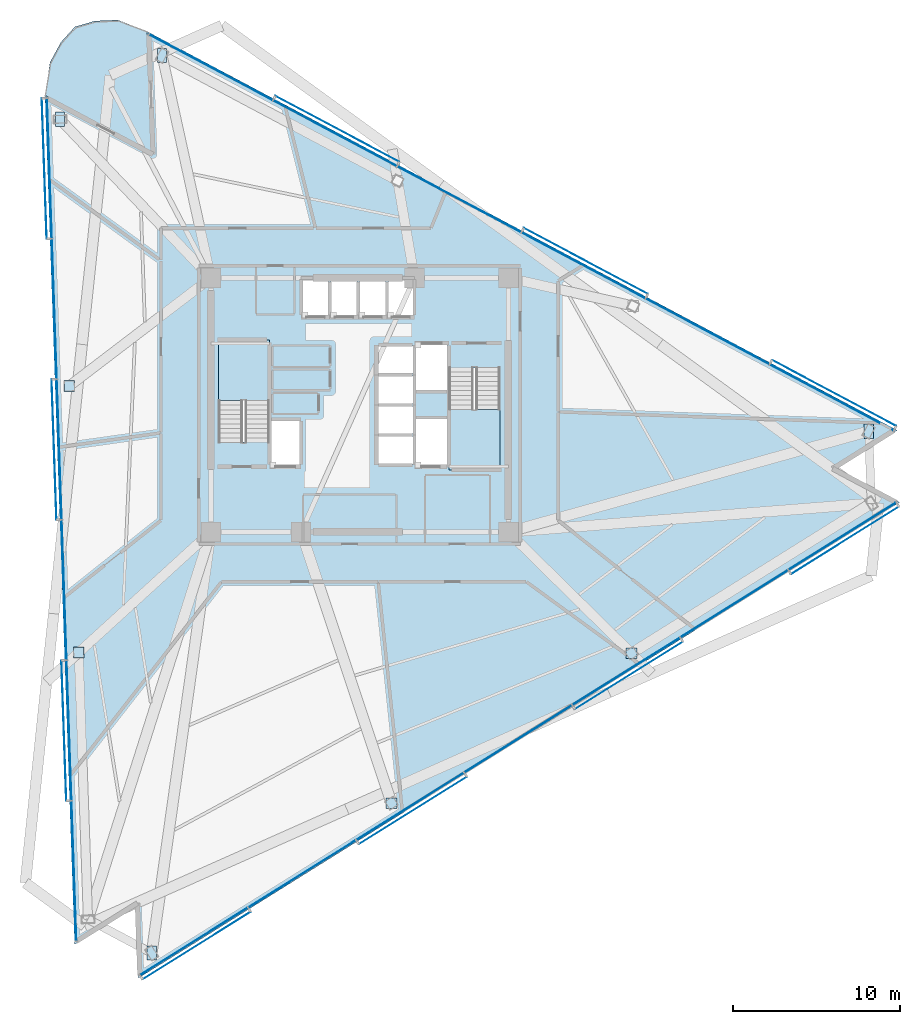
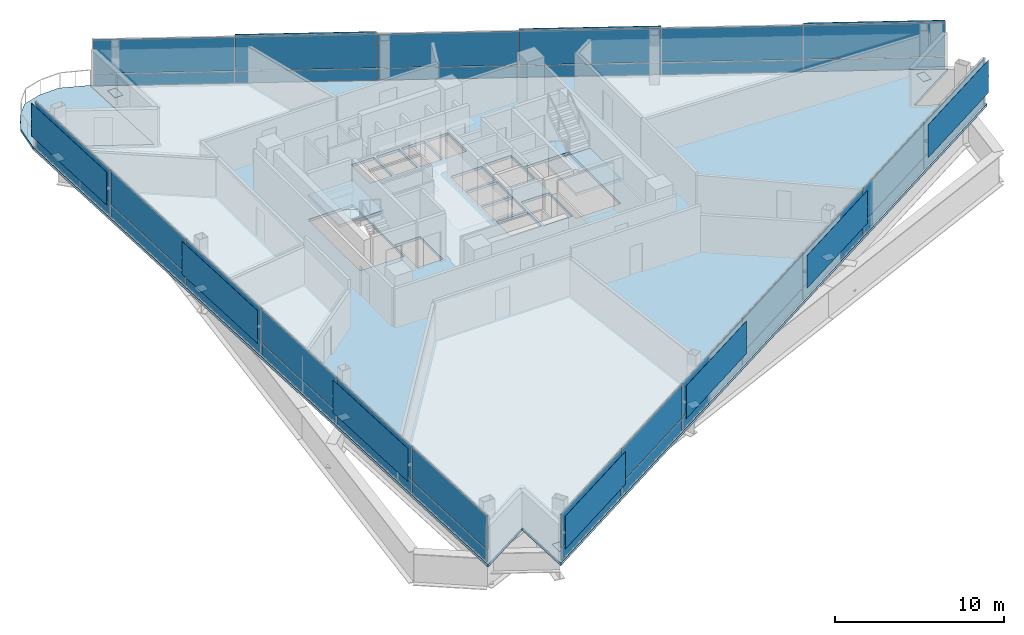
# One storey, part 11 of 20: 56 plates, 4 slabs, 5 elements without a shape of their own.
"""IFC4 building model written with IfcOpenShell, lengths in metres."""

from ifc_helpers import new_model, si_unit, direction, frame, origin, origin_2d, place, context, subcontext, project, spatial, polyline, rectangle, outline, extrude, material, layer, layer_set, type_object, element, aggregate, save


model = new_model("IFC4")

# Units and contexts
model_context = context("Model", 3, precision=1e-05, world=origin(), true_north=direction((0.0, 1.0)))
body_context = subcontext(model_context, "Body", "Model", "MODEL_VIEW")
ifc_project = project(units=[si_unit("LENGTHUNIT", "METRE"), si_unit("AREAUNIT", "SQUARE_METRE"), si_unit("VOLUMEUNIT", "CUBIC_METRE"), si_unit("PLANEANGLEUNIT", "RADIAN"), si_unit("MASSUNIT", "GRAM", prefix="KILO")], contexts=[model_context])

# Site, building, storey
site_placement = place(None, origin())
site = spatial("IfcSite", under=ifc_project, at=site_placement, CompositionType="ELEMENT")
building_placement = place(site_placement, origin())
building = spatial("IfcBuilding", under=site, at=building_placement, Name="Tharavind Bronze Gate", CompositionType="ELEMENT")
storey_placement = place(building_placement, frame((0.0, 0.0, 138.800048828125)))
storey = spatial("IfcBuildingStorey", under=building, at=storey_placement, Name="L35", CompositionType="ELEMENT", Elevation=138.800048828125)

# Plates
ifc_material_1 = material(Name="Perforated Bronze Alloy", Category="bronze")
ifc_layer_1 = layer(ifc_material_1, 0.011962890625)
ifc_layer_set_1 = layer_set([ifc_layer_1], Name="Perforated Bronze Alloy")
plate_type_1 = type_object("IfcPlateType", Name="BRONZE PERFORATED SOLAR SCREEN", PredefinedType="USERDEFINED", material=ifc_layer_set_1)
for number, where, z_axis, x_axis, name in (
    (1, (-18.867919921875, 14.1494140625, 0.966552734375), (0.0, 0.0, 1.0), (0.034899496703, -0.999390827019, 0.0), "CW-L35-S1 perforated bronze solar screen 1"),
    (2, (-18.280517578125, -2.66943359375, 0.966552734375), (0.0, 0.0, 1.0), (0.034899496703, -0.999390827019, 0.0), "CW-L35-S1 perforated bronze solar screen 3"),
    (3, (-17.693115234375, -19.48828125, 0.966552734375), (0.0, 0.0, 1.0), (0.034899496703, -0.999390827019, 0.0), "CW-L35-S1 perforated bronze solar screen 5"),
):
    element("IfcPlate", number, at=place(storey_placement, frame(where, z_axis=z_axis, x_axis=x_axis)), inside=storey, type_object=plate_type_1, Name=name, ObjectType="SCREEN", PredefinedType="USERDEFINED", context=body_context, shape_type="SweptSolid", body=[
        extrude(rectangle(XDim=8.39453125, YDim=0.011962890625, at=origin_2d()), origin(), (0.0, 0.0, 1.0), 2.376953125),
    ])
for number, where, z_axis, x_axis, name in (
    (4, (-9.75439453125, -32.3505859375, 0.966552734375), (0.0, 0.0, 1.0), (0.848048096156, 0.529919264233, 0.0), "CW-L35-S2 perforated bronze solar screen 1"),
    (5, (3.176513671875, -24.2705078125, 0.966552734375), (0.0, 0.0, 1.0), (0.848048096156, 0.529919264233, 0.0), "CW-L35-S2 perforated bronze solar screen 3"),
    (6, (16.107421875, -16.190185546875, 0.966552734375), (0.0, 0.0, 1.0), (0.848048096156, 0.529919264233, 0.0), "CW-L35-S2 perforated bronze solar screen 5"),
    (7, (29.0380859375, -8.110107421875, 0.966552734375), (0.0, 0.0, 1.0), (0.848048096156, 0.529919264233, 0.0), "CW-L35-S2 perforated bronze solar screen 7"),
):
    element("IfcPlate", number, at=place(storey_placement, frame(where, z_axis=z_axis, x_axis=x_axis)), inside=storey, type_object=plate_type_1, Name=name, ObjectType="SCREEN", PredefinedType="USERDEFINED", context=body_context, shape_type="SweptSolid", body=[
        extrude(rectangle(XDim=7.60400390625, YDim=0.011962890625, at=origin_2d()), origin(), (0.0, 0.0, 1.0), 2.376953125),
    ])
for number, where, z_axis, x_axis, name in (
    (8, (28.387451171875, 0.713134765625, 0.966552734375), (0.0, 0.0, 1.0), (-0.882947592859, 0.469471562786, 0.0), "CW-L35-S3 perforated bronze solar screen 1"),
    (9, (13.5283203125, 8.614013671875, 0.966552734375), (0.0, 0.0, 1.0), (-0.882947592859, 0.469471562786, 0.0), "CW-L35-S3 perforated bronze solar screen 3"),
    (10, (-1.3310546875, 16.514892578125, 0.966552734375), (0.0, 0.0, 1.0), (-0.882947592859, 0.469471562786, 0.0), "CW-L35-S3 perforated bronze solar screen 5"),
):
    element("IfcPlate", number, at=place(storey_placement, frame(where, z_axis=z_axis, x_axis=x_axis)), inside=storey, type_object=plate_type_1, Name=name, ObjectType="SCREEN", PredefinedType="USERDEFINED", context=body_context, shape_type="SweptSolid", body=[
        extrude(rectangle(XDim=8.39453125, YDim=0.011962890625, at=origin_2d()), origin(), (0.0, 0.0, 1.0), 2.376953125),
    ])

# Curtain wall, plates
ifc_material_2 = material(Name="Anodised Bronze Aluminium", Category="aluminium")
ifc_layer_2 = layer(ifc_material_2, 0.219970703125)
ifc_layer_set_2 = layer_set([ifc_layer_2], Name="Anodised Bronze Aluminium")
curtain_wall_type = type_object("IfcCurtainWallType", Name="UNITISED CURTAIN WALL MID OFFICE", PredefinedType="USERDEFINED", material=ifc_layer_set_2)
curtain_wall_1_placement = place(storey_placement, origin())
curtain_wall_1 = element("IfcCurtainWall", 11, at=curtain_wall_1_placement, inside=storey, type_object=curtain_wall_type, Name="L35 unitised curtain wall mid office CW-L35-S1", ObjectType="UNITISED CURTAIN WALL", PredefinedType="USERDEFINED")
ifc_material_3 = material(Name="Patinated Bronze Alloy Sheet", Category="bronze")
ifc_layer_3 = layer(ifc_material_3, 0.01611328125)
ifc_layer_set_3 = layer_set([ifc_layer_3], Name="Patinated Bronze Alloy Sheet")
plate_type_2 = type_object("IfcPlateType", Name="BRONZE SPANDREL CLADDING PANEL 16", PredefinedType="CURTAIN_PANEL", material=ifc_layer_set_3)
plate_1_placement = place(storey_placement, frame((-18.572998046875, 14.159912109375, 0.0263671875), z_axis=(0.0, 0.0, 1.0), x_axis=(0.034899496703, -0.999390827019, 0.0)))
plate_1 = element("IfcPlate", 12, at=plate_1_placement, type_object=plate_type_2, Name="CW-L35-S1 bronze spandrel panel 1", PredefinedType="CURTAIN_PANEL", context=body_context, shape_type="SweptSolid", body=[
    extrude(rectangle(XDim=8.361572265625, YDim=0.01611328125, at=origin_2d()), origin(), (0.0, 0.0, 1.0), 0.846923828125),
])
plate_2_placement = place(storey_placement, frame((-18.279296875, 5.750244140625, 0.0263671875), z_axis=(0.0, 0.0, 1.0), x_axis=(0.034899496703, -0.999390827019, 0.0)))
plate_2 = element("IfcPlate", 13, at=plate_2_placement, type_object=plate_type_2, Name="CW-L35-S1 bronze spandrel panel 2", PredefinedType="CURTAIN_PANEL", context=body_context, shape_type="SweptSolid", body=[
    extrude(rectangle(XDim=8.361572265625, YDim=0.01611328125, at=origin_2d()), origin(), (0.0, 0.0, 1.0), 0.846923828125),
])
plate_3_placement = place(storey_placement, frame((-17.985595703125, -2.6591796875, 0.0263671875), z_axis=(0.0, 0.0, 1.0), x_axis=(0.034899496703, -0.999390827019, 0.0)))
plate_3 = element("IfcPlate", 14, at=plate_3_placement, type_object=plate_type_2, Name="CW-L35-S1 bronze spandrel panel 3", PredefinedType="CURTAIN_PANEL", context=body_context, shape_type="SweptSolid", body=[
    extrude(rectangle(XDim=8.361572265625, YDim=0.01611328125, at=origin_2d()), origin(), (0.0, 0.0, 1.0), 0.846923828125),
])
plate_4_placement = place(storey_placement, frame((-17.69189453125, -11.068603515625, 0.0263671875), z_axis=(0.0, 0.0, 1.0), x_axis=(0.034899496703, -0.999390827019, 0.0)))
plate_4 = element("IfcPlate", 15, at=plate_4_placement, type_object=plate_type_2, Name="CW-L35-S1 bronze spandrel panel 4", PredefinedType="CURTAIN_PANEL", context=body_context, shape_type="SweptSolid", body=[
    extrude(rectangle(XDim=8.361572265625, YDim=0.01611328125, at=origin_2d()), origin(), (0.0, 0.0, 1.0), 0.846923828125),
])
plate_5_placement = place(storey_placement, frame((-17.398193359375, -19.477783203125, 0.0263671875), z_axis=(0.0, 0.0, 1.0), x_axis=(0.034899496703, -0.999390827019, 0.0)))
plate_5 = element("IfcPlate", 16, at=plate_5_placement, type_object=plate_type_2, Name="CW-L35-S1 bronze spandrel panel 5", PredefinedType="CURTAIN_PANEL", context=body_context, shape_type="SweptSolid", body=[
    extrude(rectangle(XDim=8.361572265625, YDim=0.01611328125, at=origin_2d()), origin(), (0.0, 0.0, 1.0), 0.846923828125),
])
plate_6_placement = place(storey_placement, frame((-17.1044921875, -27.887451171875, 0.0263671875), z_axis=(0.0, 0.0, 1.0), x_axis=(0.034899496703, -0.999390827019, 0.0)))
plate_6 = element("IfcPlate", 17, at=plate_6_placement, type_object=plate_type_2, Name="CW-L35-S1 bronze spandrel panel 6", PredefinedType="CURTAIN_PANEL", context=body_context, shape_type="SweptSolid", body=[
    extrude(rectangle(XDim=8.361572265625, YDim=0.01611328125, at=origin_2d()), origin(), (0.0, 0.0, 1.0), 0.846923828125),
])

curtain_wall_2_placement = place(storey_placement, origin())
curtain_wall_2 = element("IfcCurtainWall", 18, at=curtain_wall_2_placement, inside=storey, type_object=curtain_wall_type, Name="L35 unitised curtain wall mid office CW-L35-S2", ObjectType="UNITISED CURTAIN WALL", PredefinedType="USERDEFINED")
plate_7_placement = place(storey_placement, frame((-9.910888671875, -32.100341796875, 0.0263671875), z_axis=(0.0, 0.0, 1.0), x_axis=(0.848048096156, 0.529919264233, 0.0)))
plate_7 = element("IfcPlate", 19, at=plate_7_placement, type_object=plate_type_2, Name="CW-L35-S2 bronze spandrel panel 1", PredefinedType="CURTAIN_PANEL", context=body_context, shape_type="SweptSolid", body=[
    extrude(rectangle(XDim=7.57080078125, YDim=0.01611328125, at=origin_2d()), origin(), (0.0, 0.0, 1.0), 0.846923828125),
])
plate_8_placement = place(storey_placement, frame((-3.4453125, -28.060302734375, 0.0263671875), z_axis=(0.0, 0.0, 1.0), x_axis=(0.848048096156, 0.529919264233, 0.0)))
plate_8 = element("IfcPlate", 20, at=plate_8_placement, type_object=plate_type_2, Name="CW-L35-S2 bronze spandrel panel 2", PredefinedType="CURTAIN_PANEL", context=body_context, shape_type="SweptSolid", body=[
    extrude(rectangle(XDim=7.57080078125, YDim=0.01611328125, at=origin_2d()), origin(), (0.0, 0.0, 1.0), 0.846923828125),
])
plate_9_placement = place(storey_placement, frame((3.02001953125, -24.020263671875, 0.0263671875), z_axis=(0.0, 0.0, 1.0), x_axis=(0.848048096156, 0.529919264233, 0.0)))
plate_9 = element("IfcPlate", 21, at=plate_9_placement, type_object=plate_type_2, Name="CW-L35-S2 bronze spandrel panel 3", PredefinedType="CURTAIN_PANEL", context=body_context, shape_type="SweptSolid", body=[
    extrude(rectangle(XDim=7.57080078125, YDim=0.01611328125, at=origin_2d()), origin(), (0.0, 0.0, 1.0), 0.846923828125),
])
plate_10_placement = place(storey_placement, frame((9.485595703125, -19.97998046875, 0.0263671875), z_axis=(0.0, 0.0, 1.0), x_axis=(0.848048096156, 0.529919264233, 0.0)))
plate_10 = element("IfcPlate", 22, at=plate_10_placement, type_object=plate_type_2, Name="CW-L35-S2 bronze spandrel panel 4", PredefinedType="CURTAIN_PANEL", context=body_context, shape_type="SweptSolid", body=[
    extrude(rectangle(XDim=7.57080078125, YDim=0.01611328125, at=origin_2d()), origin(), (0.0, 0.0, 1.0), 0.846923828125),
])
plate_11_placement = place(storey_placement, frame((15.950927734375, -15.93994140625, 0.0263671875), z_axis=(0.0, 0.0, 1.0), x_axis=(0.848048096156, 0.529919264233, 0.0)))
plate_11 = element("IfcPlate", 23, at=plate_11_placement, type_object=plate_type_2, Name="CW-L35-S2 bronze spandrel panel 5", PredefinedType="CURTAIN_PANEL", context=body_context, shape_type="SweptSolid", body=[
    extrude(rectangle(XDim=7.57080078125, YDim=0.01611328125, at=origin_2d()), origin(), (0.0, 0.0, 1.0), 0.846923828125),
])
plate_12_placement = place(storey_placement, frame((22.41650390625, -11.89990234375, 0.0263671875), z_axis=(0.0, 0.0, 1.0), x_axis=(0.848048096156, 0.529919264233, 0.0)))
plate_12 = element("IfcPlate", 24, at=plate_12_placement, type_object=plate_type_2, Name="CW-L35-S2 bronze spandrel panel 6", PredefinedType="CURTAIN_PANEL", context=body_context, shape_type="SweptSolid", body=[
    extrude(rectangle(XDim=7.57080078125, YDim=0.01611328125, at=origin_2d()), origin(), (0.0, 0.0, 1.0), 0.846923828125),
])
plate_13_placement = place(storey_placement, frame((28.8818359375, -7.85986328125, 0.0263671875), z_axis=(0.0, 0.0, 1.0), x_axis=(0.848048096156, 0.529919264233, 0.0)))
plate_13 = element("IfcPlate", 25, at=plate_13_placement, type_object=plate_type_2, Name="CW-L35-S2 bronze spandrel panel 7", PredefinedType="CURTAIN_PANEL", context=body_context, shape_type="SweptSolid", body=[
    extrude(rectangle(XDim=7.57080078125, YDim=0.01611328125, at=origin_2d()), origin(), (0.0, 0.0, 1.0), 0.846923828125),
])

curtain_wall_3_placement = place(storey_placement, origin())
curtain_wall_3 = element("IfcCurtainWall", 26, at=curtain_wall_3_placement, inside=storey, type_object=curtain_wall_type, Name="L35 unitised curtain wall mid office CW-L35-S3", ObjectType="UNITISED CURTAIN WALL", PredefinedType="USERDEFINED")
plate_14_placement = place(storey_placement, frame((28.2490234375, 0.45263671875, 0.0263671875), z_axis=(0.0, 0.0, 1.0), x_axis=(-0.882947592859, 0.469471562786, 0.0)))
plate_14 = element("IfcPlate", 27, at=plate_14_placement, type_object=plate_type_2, Name="CW-L35-S3 bronze spandrel panel 1", PredefinedType="CURTAIN_PANEL", context=body_context, shape_type="SweptSolid", body=[
    extrude(rectangle(XDim=8.361572265625, YDim=0.01611328125, at=origin_2d()), origin(), (0.0, 0.0, 1.0), 0.846923828125),
])
plate_15_placement = place(storey_placement, frame((20.8193359375, 4.403076171875, 0.0263671875), z_axis=(0.0, 0.0, 1.0), x_axis=(-0.882947592859, 0.469471562786, 0.0)))
plate_15 = element("IfcPlate", 28, at=plate_15_placement, type_object=plate_type_2, Name="CW-L35-S3 bronze spandrel panel 2", PredefinedType="CURTAIN_PANEL", context=body_context, shape_type="SweptSolid", body=[
    extrude(rectangle(XDim=8.361572265625, YDim=0.01611328125, at=origin_2d()), origin(), (0.0, 0.0, 1.0), 0.846923828125),
])
plate_16_placement = place(storey_placement, frame((13.389892578125, 8.353515625, 0.0263671875), z_axis=(0.0, 0.0, 1.0), x_axis=(-0.882947592859, 0.469471562786, 0.0)))
plate_16 = element("IfcPlate", 29, at=plate_16_placement, type_object=plate_type_2, Name="CW-L35-S3 bronze spandrel panel 3", PredefinedType="CURTAIN_PANEL", context=body_context, shape_type="SweptSolid", body=[
    extrude(rectangle(XDim=8.361572265625, YDim=0.01611328125, at=origin_2d()), origin(), (0.0, 0.0, 1.0), 0.846923828125),
])
plate_17_placement = place(storey_placement, frame((5.960205078125, 12.303955078125, 0.0263671875), z_axis=(0.0, 0.0, 1.0), x_axis=(-0.882947592859, 0.469471562786, 0.0)))
plate_17 = element("IfcPlate", 30, at=plate_17_placement, type_object=plate_type_2, Name="CW-L35-S3 bronze spandrel panel 4", PredefinedType="CURTAIN_PANEL", context=body_context, shape_type="SweptSolid", body=[
    extrude(rectangle(XDim=8.361572265625, YDim=0.01611328125, at=origin_2d()), origin(), (0.0, 0.0, 1.0), 0.846923828125),
])
plate_18_placement = place(storey_placement, frame((-1.469482421875, 16.25439453125, 0.0263671875), z_axis=(0.0, 0.0, 1.0), x_axis=(-0.882947592859, 0.469471562786, 0.0)))
plate_18 = element("IfcPlate", 31, at=plate_18_placement, type_object=plate_type_2, Name="CW-L35-S3 bronze spandrel panel 5", PredefinedType="CURTAIN_PANEL", context=body_context, shape_type="SweptSolid", body=[
    extrude(rectangle(XDim=8.361572265625, YDim=0.01611328125, at=origin_2d()), origin(), (0.0, 0.0, 1.0), 0.846923828125),
])
plate_19_placement = place(storey_placement, frame((-8.899169921875, 20.20458984375, 0.0263671875), z_axis=(0.0, 0.0, 1.0), x_axis=(-0.882947592859, 0.469471562786, 0.0)))
plate_19 = element("IfcPlate", 32, at=plate_19_placement, type_object=plate_type_2, Name="CW-L35-S3 bronze spandrel panel 6", PredefinedType="CURTAIN_PANEL", context=body_context, shape_type="SweptSolid", body=[
    extrude(rectangle(XDim=8.361572265625, YDim=0.01611328125, at=origin_2d()), origin(), (0.0, 0.0, 1.0), 0.846923828125),
])

# Slab
ifc_material_4 = material(Name="Concrete C40/50", Category="concrete")
ifc_layer_4 = layer(ifc_material_4, 0.179931640625)
ifc_layer_set_4 = layer_set([ifc_layer_4], Name="Concrete C40/50")
slab_type_1 = type_object("IfcSlabType", Name="EXTERIOR BALCONY SLAB 180", PredefinedType="FLOOR", material=ifc_layer_set_4)
slab_1_placement = place(storey_placement, frame((0.0, 0.0, -0.179931640625)))
element("IfcSlab", 33, at=slab_1_placement, inside=storey, type_object=slab_type_1, Name="L35 northeast tree balcony slab", PredefinedType="FLOOR", context=body_context, shape_type="SweptSolid", body=[
    extrude(outline(polyline([(-14.45654296875, 23.033203125), (-15.835693359375, 22.975830078125), (-17.032470703125, 22.626220703125), (-17.87109375, 21.7041015625), (-18.527099609375, 20.489501953125), (-18.82568359375, 18.5341796875), (-12.468505859375, 15.15380859375), (-12.719970703125, 22.349609375), (-14.45654296875, 23.033203125)])), origin(), (0.0, 0.0, 1.0), 0.179931640625),
])

# Stair, slab
stair_type = type_object("IfcStairType", Name="CORE HALF TURN STAIR 1450", PredefinedType="HALF_TURN_STAIR", material=ifc_material_4)
stair_1_placement = place(storey_placement, origin())
stair_1 = element("IfcStair", 34, at=stair_1_placement, inside=storey, type_object=stair_type, Name="L35 Protected Exit Stair ST1", PredefinedType="HALF_TURN_STAIR")
ifc_layer_5 = layer(ifc_material_4, 0.199951171875)
ifc_layer_set_5 = layer_set([ifc_layer_5], Name="Concrete C40/50")
slab_type_2 = type_object("IfcSlabType", Name="STAIR LANDING SLAB 200", PredefinedType="LANDING", material=ifc_layer_set_5)
slab_2_placement = place(storey_placement, frame((0.0, 0.0, 1.599853515625)))
slab_2 = element("IfcSlab", 35, at=slab_2_placement, type_object=slab_type_2, Name="ST1 landing 1", PredefinedType="LANDING", context=body_context, shape_type="SweptSolid", body=[
    extrude(outline(polyline([(-5.39990234375, 0.27001953125), (-5.39990234375, 3.89990234375), (-8.449951171875, 3.89990234375), (-8.449951171875, 0.27001953125), (-5.39990234375, 0.27001953125)])), origin(), (0.0, 0.0, 1.0), 0.2001953125),
])
aggregate(stair_1, [slab_2])

stair_2_placement = place(storey_placement, origin())
stair_2 = element("IfcStair", 36, at=stair_2_placement, inside=storey, type_object=stair_type, Name="L35 Protected Exit Stair ST2", PredefinedType="HALF_TURN_STAIR")
slab_3_placement = place(storey_placement, frame((0.0, 0.0, 1.599853515625)))
slab_3 = element("IfcSlab", 37, at=slab_3_placement, type_object=slab_type_2, Name="ST2 landing 1", PredefinedType="LANDING", context=body_context, shape_type="SweptSolid", body=[
    extrude(outline(polyline([(5.35009765625, -0.27001953125), (5.35009765625, -3.89990234375), (8.39990234375, -3.89990234375), (8.39990234375, -0.27001953125), (5.35009765625, -0.27001953125)])), origin(), (0.0, 0.0, 1.0), 0.2001953125),
])
aggregate(stair_2, [slab_3])

# Plates
ifc_material_5 = material(Name="Steel S460", Category="steel")
ifc_layer_6 = layer(ifc_material_5, 0.02490234375)
ifc_layer_set_6 = layer_set([ifc_layer_6], Name="Steel S460")
plate_type_3 = type_object("IfcPlateType", Name="STEEL END CAP SHEET 25", PredefinedType="SHEET", material=ifc_layer_set_6)
plate_20_placement = place(storey_placement, frame((-17.9248046875, 17.09228515625, -0.202392578125), z_axis=(0.0, 0.0, 1.0), x_axis=(1.0, 0.0, 0.0)))
element("IfcPlate", 38, at=plate_20_placement, inside=storey, type_object=plate_type_3, Name="Steel end cap plate CAP-COLB-L35-S1C1", PredefinedType="SHEET", context=body_context, shape_type="SweptSolid", body=[
    extrude(rectangle(XDim=0.544921875, YDim=0.844970703125, at=origin_2d()), origin(), (0.0, 0.0, 1.0), 0.02490234375),
])
for number, where, z_axis, x_axis, name in (
    (39, (-17.367919921875, 1.138916015625, -0.202392578125), (0.0, 0.0, 1.0), (1.0, 0.0, 0.0), "Steel end cap plate CAP-COLB-L35-S1C2"),
    (40, (-16.810791015625, -14.814208984375, -0.012451171875), (0.0, 0.0, 1.0), (1.0, 0.0, 0.0), "Steel end cap plate CAP-COLB-L35-S1C3"),
):
    element("IfcPlate", number, at=place(storey_placement, frame(where, z_axis=z_axis, x_axis=x_axis)), inside=storey, type_object=plate_type_3, Name=name, PredefinedType="SHEET", context=body_context, shape_type="SweptSolid", body=[
        extrude(rectangle(XDim=0.64501953125, YDim=0.64501953125, at=origin_2d()), origin(), (0.0, 0.0, 1.0), 0.02490234375),
    ])
plate_21_placement = place(storey_placement, frame((-12.439208984375, -32.7958984375, -0.012451171875), z_axis=(0.0, 0.0, 1.0), x_axis=(1.0, 0.0, 0.0)))
element("IfcPlate", 41, at=plate_21_placement, inside=storey, type_object=plate_type_3, Name="Steel end cap plate CAP-COLB-L35-S2C1", PredefinedType="SHEET", context=body_context, shape_type="SweptSolid", body=[
    extrude(rectangle(XDim=0.544921875, YDim=0.844970703125, at=origin_2d()), origin(), (0.0, 0.0, 1.0), 0.02490234375),
])
for number, where, z_axis, x_axis, name in (
    (42, (1.912353515625, -23.827880859375, -0.202392578125), (0.0, 0.0, 1.0), (1.0, 0.0, 0.0), "Steel end cap plate CAP-COLB-L35-S2C2"),
    (43, (16.263916015625, -14.860107421875, -0.012451171875), (0.0, 0.0, 1.0), (1.0, 0.0, 0.0), "Steel end cap plate CAP-COLB-L35-S2C3"),
):
    element("IfcPlate", number, at=place(storey_placement, frame(where, z_axis=z_axis, x_axis=x_axis)), inside=storey, type_object=plate_type_3, Name=name, PredefinedType="SHEET", context=body_context, shape_type="SweptSolid", body=[
        extrude(rectangle(XDim=0.64501953125, YDim=0.64501953125, at=origin_2d()), origin(), (0.0, 0.0, 1.0), 0.02490234375),
    ])
for number, where, z_axis, x_axis, name in (
    (44, (30.46484375, -1.57470703125, -0.012451171875), (0.0, 0.0, 1.0), (1.0, 0.0, 0.0), "Steel end cap plate CAP-COLB-L35-S3C1"),
    (45, (-11.819091796875, 20.90771484375, -0.012451171875), (0.0, 0.0, 1.0), (1.0, 0.0, 0.0), "Steel end cap plate CAP-COLB-L35-S3C4"),
):
    element("IfcPlate", number, at=place(storey_placement, frame(where, z_axis=z_axis, x_axis=x_axis)), inside=storey, type_object=plate_type_3, Name=name, PredefinedType="SHEET", context=body_context, shape_type="SweptSolid", body=[
        extrude(rectangle(XDim=0.544921875, YDim=0.844970703125, at=origin_2d()), origin(), (0.0, 0.0, 1.0), 0.02490234375),
    ])

# Slab
ifc_layer_7 = layer(ifc_material_4, 0.18994140625)
ifc_layer_set_7 = layer_set([ifc_layer_7], Name="Concrete C40/50")
slab_type_3 = type_object("IfcSlabType", Name="STRUCTURAL FLOOR SLAB 190", PredefinedType="FLOOR", material=ifc_layer_set_7)
slab_4_placement = place(storey_placement, frame((0.0, 0.0, -0.18994140625)))
element("IfcSlab", 46, at=slab_4_placement, inside=storey, type_object=slab_type_3, Name="L35 main structural floor slab", PredefinedType="FLOOR", context=body_context, shape_type="SweptSolid", body=[
    extrude(outline(polyline([(-12.719970703125, 22.349609375), (-12.468505859375, 15.15380859375), (-18.82568359375, 18.5341796875), (-17.0517578125, -32.268798828125), (-13.38818359375, -29.9794921875), (-13.2373046875, -34.296875), (32.314453125, -5.8330078125), (28.500244140625, -3.8046875), (32.163818359375, -1.515380859375), (-12.719970703125, 22.349609375)]), holes=[polyline([(-5.39990234375, -2.215087890625), (-5.39990234375, 3.89990234375), (-8.449951171875, 3.89990234375), (-8.449951171875, -2.215087890625), (-5.39990234375, -2.215087890625)]), polyline([(5.35009765625, 2.215087890625), (5.35009765625, -3.89990234375), (8.39990234375, -3.89990234375), (8.39990234375, 2.215087890625), (5.35009765625, 2.215087890625)]), polyline([(-3.419921875, 5.330078125), (-1.867431640625, 5.330078125), (-1.867431640625, 7.52001953125), (-3.419921875, 7.52001953125), (-3.419921875, 5.330078125)]), polyline([(-1.70751953125, 5.330078125), (-0.155029296875, 5.330078125), (-0.155029296875, 7.52001953125), (-1.70751953125, 7.52001953125), (-1.70751953125, 5.330078125)]), polyline([(0.0048828125, 5.330078125), (1.5576171875, 5.330078125), (1.5576171875, 7.52001953125), (0.0048828125, 7.52001953125), (0.0048828125, 5.330078125)]), polyline([(1.717529296875, 5.330078125), (3.199951171875, 5.330078125), (3.199951171875, 7.52001953125), (1.717529296875, 7.52001953125), (1.717529296875, 5.330078125)]), polyline([(1.080078125, -3.52001953125), (3.199951171875, -3.52001953125), (3.199951171875, -1.8798828125), (1.080078125, -1.8798828125), (1.080078125, -3.52001953125)]), polyline([(1.080078125, -1.719970703125), (3.199951171875, -1.719970703125), (3.199951171875, -0.080078125), (1.080078125, -0.080078125), (1.080078125, -1.719970703125)]), polyline([(1.080078125, 0.080078125), (3.199951171875, 0.080078125), (3.199951171875, 1.719970703125), (1.080078125, 1.719970703125), (1.080078125, 0.080078125)]), polyline([(1.080078125, 1.8798828125), (3.199951171875, 1.8798828125), (3.199951171875, 3.52001953125), (1.080078125, 3.52001953125), (1.080078125, 1.8798828125)]), polyline([(-5.320068359375, -3.6201171875), (-3.580078125, -3.6201171875), (-3.580078125, -0.929931640625), (-5.320068359375, -0.929931640625), (-5.320068359375, -3.6201171875)]), polyline([(3.360107421875, 0.8798828125), (5.27001953125, 0.8798828125), (5.27001953125, 3.6201171875), (3.360107421875, 3.6201171875), (3.360107421875, 0.8798828125)]), polyline([(3.360107421875, -3.6201171875), (5.27001953125, -3.6201171875), (5.27001953125, -0.830078125), (3.360107421875, -0.830078125), (3.360107421875, -3.6201171875)])]), origin(), (0.0, 0.0, 1.0), 0.18994140625),
])

# Plate
ifc_material_6 = material(Name="Triple Solar Control Glazing", Category="glass")
ifc_layer_8 = layer(ifc_material_6, 0.0439453125)
ifc_layer_set_8 = layer_set([ifc_layer_8], Name="Triple Solar Control Glazing")
plate_type_4 = type_object("IfcPlateType", Name="TRIPLE GLAZED FACADE PANEL 44", PredefinedType="CURTAIN_PANEL", material=ifc_layer_set_8)
plate_22_placement = place(storey_placement, frame((-18.572998046875, 14.159912109375, 0.926513671875), z_axis=(0.0, 0.0, 1.0), x_axis=(0.034899496703, -0.999390827019, 0.0)))
plate_22 = element("IfcPlate", 47, at=plate_22_placement, type_object=plate_type_4, Name="CW-L35-S1 vision glazing panel 1", PredefinedType="CURTAIN_PANEL", context=body_context, shape_type="SweptSolid", body=[
    extrude(rectangle(XDim=8.361572265625, YDim=0.0439453125, at=origin_2d()), origin(), (0.0, 0.0, 1.0), 2.45703125),
])

plate_23_placement = place(storey_placement, frame((-18.279296875, 5.750244140625, 0.926513671875), z_axis=(0.0, 0.0, 1.0), x_axis=(0.034899496703, -0.999390827019, 0.0)))
plate_23 = element("IfcPlate", 48, at=plate_23_placement, type_object=plate_type_4, Name="CW-L35-S1 vision glazing panel 2", PredefinedType="CURTAIN_PANEL", context=body_context, shape_type="SweptSolid", body=[
    extrude(rectangle(XDim=8.361572265625, YDim=0.0439453125, at=origin_2d()), origin(), (0.0, 0.0, 1.0), 2.45703125),
])

plate_24_placement = place(storey_placement, frame((-17.985595703125, -2.6591796875, 0.926513671875), z_axis=(0.0, 0.0, 1.0), x_axis=(0.034899496703, -0.999390827019, 0.0)))
plate_24 = element("IfcPlate", 49, at=plate_24_placement, type_object=plate_type_4, Name="CW-L35-S1 vision glazing panel 3", PredefinedType="CURTAIN_PANEL", context=body_context, shape_type="SweptSolid", body=[
    extrude(rectangle(XDim=8.361572265625, YDim=0.0439453125, at=origin_2d()), origin(), (0.0, 0.0, 1.0), 2.45703125),
])

plate_25_placement = place(storey_placement, frame((-17.69189453125, -11.068603515625, 0.926513671875), z_axis=(0.0, 0.0, 1.0), x_axis=(0.034899496703, -0.999390827019, 0.0)))
plate_25 = element("IfcPlate", 50, at=plate_25_placement, type_object=plate_type_4, Name="CW-L35-S1 vision glazing panel 4", PredefinedType="CURTAIN_PANEL", context=body_context, shape_type="SweptSolid", body=[
    extrude(rectangle(XDim=8.361572265625, YDim=0.0439453125, at=origin_2d()), origin(), (0.0, 0.0, 1.0), 2.45703125),
])

plate_26_placement = place(storey_placement, frame((-17.398193359375, -19.477783203125, 0.926513671875), z_axis=(0.0, 0.0, 1.0), x_axis=(0.034899496703, -0.999390827019, 0.0)))
plate_26 = element("IfcPlate", 51, at=plate_26_placement, type_object=plate_type_4, Name="CW-L35-S1 vision glazing panel 5", PredefinedType="CURTAIN_PANEL", context=body_context, shape_type="SweptSolid", body=[
    extrude(rectangle(XDim=8.361572265625, YDim=0.0439453125, at=origin_2d()), origin(), (0.0, 0.0, 1.0), 2.45703125),
])

plate_27_placement = place(storey_placement, frame((-17.1044921875, -27.887451171875, 0.926513671875), z_axis=(0.0, 0.0, 1.0), x_axis=(0.034899496703, -0.999390827019, 0.0)))
plate_27 = element("IfcPlate", 52, at=plate_27_placement, type_object=plate_type_4, Name="CW-L35-S1 vision glazing panel 6", PredefinedType="CURTAIN_PANEL", context=body_context, shape_type="SweptSolid", body=[
    extrude(rectangle(XDim=8.361572265625, YDim=0.0439453125, at=origin_2d()), origin(), (0.0, 0.0, 1.0), 2.45703125),
])

aggregate(curtain_wall_1, [plate_1, plate_22, plate_2, plate_23, plate_3, plate_24, plate_4, plate_25, plate_5, plate_26, plate_6, plate_27])

plate_28_placement = place(storey_placement, frame((-9.910888671875, -32.100341796875, 0.926513671875), z_axis=(0.0, 0.0, 1.0), x_axis=(0.848048096156, 0.529919264233, 0.0)))
plate_28 = element("IfcPlate", 53, at=plate_28_placement, type_object=plate_type_4, Name="CW-L35-S2 vision glazing panel 1", PredefinedType="CURTAIN_PANEL", context=body_context, shape_type="SweptSolid", body=[
    extrude(rectangle(XDim=7.57080078125, YDim=0.0439453125, at=origin_2d()), origin(), (0.0, 0.0, 1.0), 2.45703125),
])

plate_29_placement = place(storey_placement, frame((-3.4453125, -28.060302734375, 0.926513671875), z_axis=(0.0, 0.0, 1.0), x_axis=(0.848048096156, 0.529919264233, 0.0)))
plate_29 = element("IfcPlate", 54, at=plate_29_placement, type_object=plate_type_4, Name="CW-L35-S2 vision glazing panel 2", PredefinedType="CURTAIN_PANEL", context=body_context, shape_type="SweptSolid", body=[
    extrude(rectangle(XDim=7.57080078125, YDim=0.0439453125, at=origin_2d()), origin(), (0.0, 0.0, 1.0), 2.45703125),
])

plate_30_placement = place(storey_placement, frame((3.02001953125, -24.020263671875, 0.926513671875), z_axis=(0.0, 0.0, 1.0), x_axis=(0.848048096156, 0.529919264233, 0.0)))
plate_30 = element("IfcPlate", 55, at=plate_30_placement, type_object=plate_type_4, Name="CW-L35-S2 vision glazing panel 3", PredefinedType="CURTAIN_PANEL", context=body_context, shape_type="SweptSolid", body=[
    extrude(rectangle(XDim=7.57080078125, YDim=0.0439453125, at=origin_2d()), origin(), (0.0, 0.0, 1.0), 2.45703125),
])

plate_31_placement = place(storey_placement, frame((9.485595703125, -19.97998046875, 0.926513671875), z_axis=(0.0, 0.0, 1.0), x_axis=(0.848048096156, 0.529919264233, 0.0)))
plate_31 = element("IfcPlate", 56, at=plate_31_placement, type_object=plate_type_4, Name="CW-L35-S2 vision glazing panel 4", PredefinedType="CURTAIN_PANEL", context=body_context, shape_type="SweptSolid", body=[
    extrude(rectangle(XDim=7.57080078125, YDim=0.0439453125, at=origin_2d()), origin(), (0.0, 0.0, 1.0), 2.45703125),
])

plate_32_placement = place(storey_placement, frame((15.950927734375, -15.93994140625, 0.926513671875), z_axis=(0.0, 0.0, 1.0), x_axis=(0.848048096156, 0.529919264233, 0.0)))
plate_32 = element("IfcPlate", 57, at=plate_32_placement, type_object=plate_type_4, Name="CW-L35-S2 vision glazing panel 5", PredefinedType="CURTAIN_PANEL", context=body_context, shape_type="SweptSolid", body=[
    extrude(rectangle(XDim=7.57080078125, YDim=0.0439453125, at=origin_2d()), origin(), (0.0, 0.0, 1.0), 2.45703125),
])

plate_33_placement = place(storey_placement, frame((22.41650390625, -11.89990234375, 0.926513671875), z_axis=(0.0, 0.0, 1.0), x_axis=(0.848048096156, 0.529919264233, 0.0)))
plate_33 = element("IfcPlate", 58, at=plate_33_placement, type_object=plate_type_4, Name="CW-L35-S2 vision glazing panel 6", PredefinedType="CURTAIN_PANEL", context=body_context, shape_type="SweptSolid", body=[
    extrude(rectangle(XDim=7.57080078125, YDim=0.0439453125, at=origin_2d()), origin(), (0.0, 0.0, 1.0), 2.45703125),
])

plate_34_placement = place(storey_placement, frame((28.8818359375, -7.85986328125, 0.926513671875), z_axis=(0.0, 0.0, 1.0), x_axis=(0.848048096156, 0.529919264233, 0.0)))
plate_34 = element("IfcPlate", 59, at=plate_34_placement, type_object=plate_type_4, Name="CW-L35-S2 vision glazing panel 7", PredefinedType="CURTAIN_PANEL", context=body_context, shape_type="SweptSolid", body=[
    extrude(rectangle(XDim=7.57080078125, YDim=0.0439453125, at=origin_2d()), origin(), (0.0, 0.0, 1.0), 2.45703125),
])

aggregate(curtain_wall_2, [plate_7, plate_28, plate_8, plate_29, plate_9, plate_30, plate_10, plate_31, plate_11, plate_32, plate_12, plate_33, plate_13, plate_34])

plate_35_placement = place(storey_placement, frame((28.2490234375, 0.45263671875, 0.926513671875), z_axis=(0.0, 0.0, 1.0), x_axis=(-0.882947592859, 0.469471562786, 0.0)))
plate_35 = element("IfcPlate", 60, at=plate_35_placement, type_object=plate_type_4, Name="CW-L35-S3 vision glazing panel 1", PredefinedType="CURTAIN_PANEL", context=body_context, shape_type="SweptSolid", body=[
    extrude(rectangle(XDim=8.361572265625, YDim=0.0439453125, at=origin_2d()), origin(), (0.0, 0.0, 1.0), 2.45703125),
])

plate_36_placement = place(storey_placement, frame((20.8193359375, 4.403076171875, 0.926513671875), z_axis=(0.0, 0.0, 1.0), x_axis=(-0.882947592859, 0.469471562786, 0.0)))
plate_36 = element("IfcPlate", 61, at=plate_36_placement, type_object=plate_type_4, Name="CW-L35-S3 vision glazing panel 2", PredefinedType="CURTAIN_PANEL", context=body_context, shape_type="SweptSolid", body=[
    extrude(rectangle(XDim=8.361572265625, YDim=0.0439453125, at=origin_2d()), origin(), (0.0, 0.0, 1.0), 2.45703125),
])

plate_37_placement = place(storey_placement, frame((13.389892578125, 8.353515625, 0.926513671875), z_axis=(0.0, 0.0, 1.0), x_axis=(-0.882947592859, 0.469471562786, 0.0)))
plate_37 = element("IfcPlate", 62, at=plate_37_placement, type_object=plate_type_4, Name="CW-L35-S3 vision glazing panel 3", PredefinedType="CURTAIN_PANEL", context=body_context, shape_type="SweptSolid", body=[
    extrude(rectangle(XDim=8.361572265625, YDim=0.0439453125, at=origin_2d()), origin(), (0.0, 0.0, 1.0), 2.45703125),
])

plate_38_placement = place(storey_placement, frame((5.960205078125, 12.303955078125, 0.926513671875), z_axis=(0.0, 0.0, 1.0), x_axis=(-0.882947592859, 0.469471562786, 0.0)))
plate_38 = element("IfcPlate", 63, at=plate_38_placement, type_object=plate_type_4, Name="CW-L35-S3 vision glazing panel 4", PredefinedType="CURTAIN_PANEL", context=body_context, shape_type="SweptSolid", body=[
    extrude(rectangle(XDim=8.361572265625, YDim=0.0439453125, at=origin_2d()), origin(), (0.0, 0.0, 1.0), 2.45703125),
])

plate_39_placement = place(storey_placement, frame((-1.469482421875, 16.25439453125, 0.926513671875), z_axis=(0.0, 0.0, 1.0), x_axis=(-0.882947592859, 0.469471562786, 0.0)))
plate_39 = element("IfcPlate", 64, at=plate_39_placement, type_object=plate_type_4, Name="CW-L35-S3 vision glazing panel 5", PredefinedType="CURTAIN_PANEL", context=body_context, shape_type="SweptSolid", body=[
    extrude(rectangle(XDim=8.361572265625, YDim=0.0439453125, at=origin_2d()), origin(), (0.0, 0.0, 1.0), 2.45703125),
])

plate_40_placement = place(storey_placement, frame((-8.899169921875, 20.20458984375, 0.926513671875), z_axis=(0.0, 0.0, 1.0), x_axis=(-0.882947592859, 0.469471562786, 0.0)))
plate_40 = element("IfcPlate", 65, at=plate_40_placement, type_object=plate_type_4, Name="CW-L35-S3 vision glazing panel 6", PredefinedType="CURTAIN_PANEL", context=body_context, shape_type="SweptSolid", body=[
    extrude(rectangle(XDim=8.361572265625, YDim=0.0439453125, at=origin_2d()), origin(), (0.0, 0.0, 1.0), 2.45703125),
])

aggregate(curtain_wall_3, [plate_14, plate_35, plate_15, plate_36, plate_16, plate_37, plate_17, plate_38, plate_18, plate_39, plate_19, plate_40])

save(model, "model.ifc")
